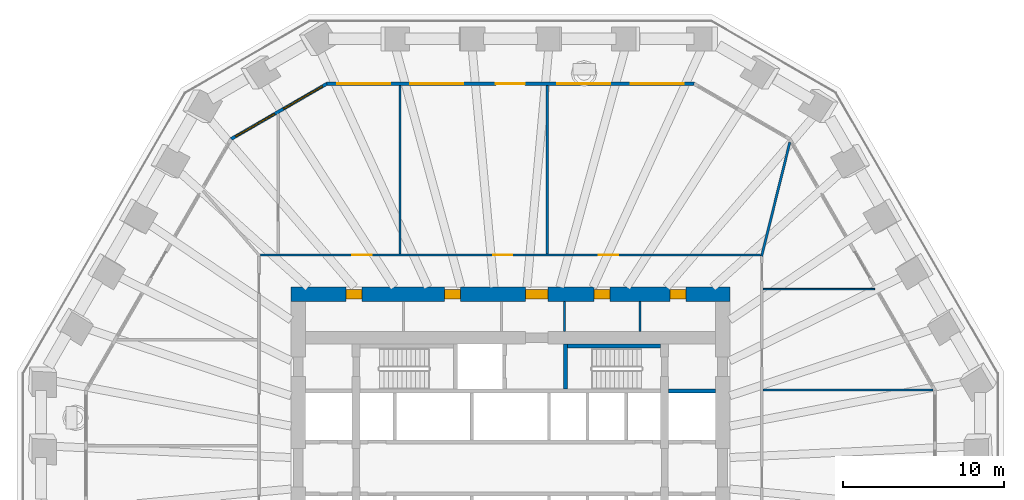
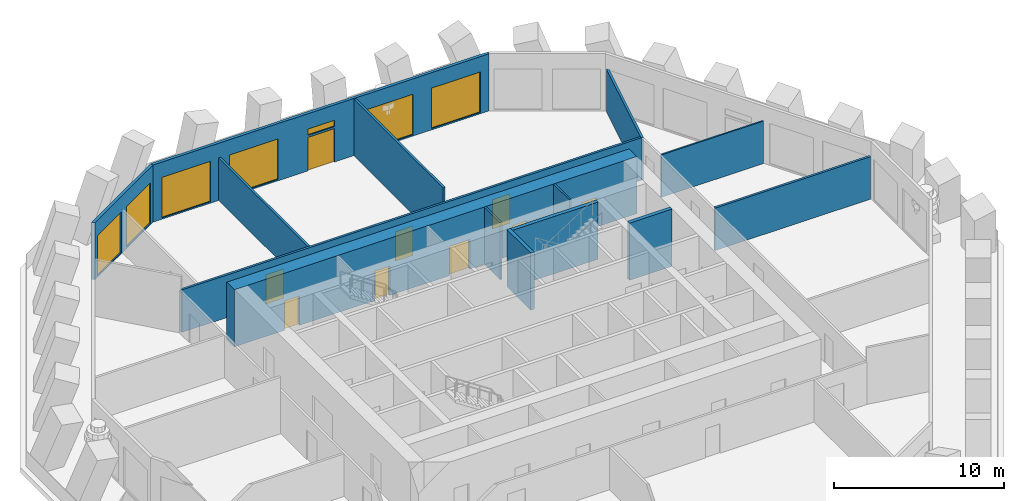
# One storey, part 7 of 11: 14 walls, 9 doors, 7 windows, 16 openings.
"""IFC4 building model written with IfcOpenShell, lengths in metres."""

from ifc_helpers import new_model, si_unit, direction, frame, frame_2d, origin, place, context, subcontext, project, spatial, polyline, rectangle, outline, extrude, material, layer, layer_set, type_object, element, fill, save


model = new_model("IFC4")

# Units and contexts
model_context = context("Model", 3, precision=1e-05, world=origin(), true_north=direction((0.0, 1.0)))
body_context = subcontext(model_context, "Body", "Model", "MODEL_VIEW")
ifc_project = project(units=[si_unit("LENGTHUNIT", "METRE"), si_unit("AREAUNIT", "SQUARE_METRE"), si_unit("VOLUMEUNIT", "CUBIC_METRE"), si_unit("PLANEANGLEUNIT", "RADIAN"), si_unit("MASSUNIT", "GRAM", prefix="KILO")], contexts=[model_context])

# Site, building, storey
site_placement = place(None, origin())
site = spatial("IfcSite", under=ifc_project, at=site_placement, CompositionType="ELEMENT")
building_placement = place(site_placement, origin())
building = spatial("IfcBuilding", under=site, at=building_placement, Name="Frailejon Research Tower", CompositionType="ELEMENT")
storey_placement = place(building_placement, frame((0.0, 0.0, 67.39990234375)))
storey = spatial("IfcBuildingStorey", under=building, at=storey_placement, Name="L15", CompositionType="ELEMENT", Elevation=67.39990234375)

# Walls
ifc_material_1 = material(Name="Plasterboard on steel studs", Category="steel")
ifc_layer_1 = layer(ifc_material_1, 0.125)
ifc_layer_set_1 = layer_set([ifc_layer_1], Name="Core partition 125")
wall_type_1 = type_object("IfcWallType", Name="Core partition 125", PredefinedType="PARTITIONING", material=ifc_layer_set_1)
for number, where, z_axis, x_axis, name in (
    (1, (3.362548828125, 8.5, 0.0), (0.0, 0.0, 1.0), (0.0, 1.0, 0.0), "Core partition"),
    (2, (8.05615234375, 8.5, 0.0), (0.0, 0.0, 1.0), (0.0, 1.0, 0.0), "Core partition"),
):
    element("IfcWall", number, at=place(storey_placement, frame(where, z_axis=z_axis, x_axis=x_axis)), inside=storey, type_object=wall_type_1, Name=name, PredefinedType="PARTITIONING", context=body_context, shape_type="SweptSolid", body=[
        extrude(rectangle(XDim=1.85009765625, YDim=0.125, at=frame_2d((0.925048828125, 0.0))), origin(), (0.0, 0.0, 1.0), 4.10009765625),
    ])

# Wall, openings, doors
ifc_material_2 = material(Name="Concrete C70/85", Category="concrete")
ifc_layer_2 = layer(ifc_material_2, 0.89990234375)
ifc_layer_set_2 = layer_set([ifc_layer_2], Name="Core shear wall 900 C70/85")
wall_type_2 = type_object("IfcWallType", Name="Core shear wall 900 C70/85", PredefinedType="SHEAR", material=ifc_layer_set_2)
wall_1_placement = place(storey_placement, frame((-13.64990234375, 10.800048828125, 0.0), z_axis=(0.0, 0.0, 1.0), x_axis=(1.0, 0.0, 0.0)))
wall_1 = element("IfcWall", 3, at=wall_1_placement, inside=storey, type_object=wall_type_2, Name="Core shear wall", PredefinedType="SHEAR", context=body_context, shape_type="SweptSolid", body=[
    extrude(rectangle(XDim=27.2998046875, YDim=0.89990234375, at=frame_2d((13.64990234375, 0.0))), origin(), (0.0, 0.0, 1.0), 4.10009765625),
])
opening_1_placement = place(wall_1_placement, frame((3.41552734375, 0.0, 0.0)))
opening_1 = element("IfcOpeningElement", 4, at=opening_1_placement, cuts=wall_1, Name="Opening D4", PredefinedType="OPENING", context=body_context, shape_type="SweptSolid", body=[
    extrude(rectangle(XDim=1.0, YDim=2.10009765625, at=frame_2d((0.5, 1.050048828125))), frame((0.0, 0.4599609375, 0.0), z_axis=(0.0, -1.0, 0.0), x_axis=(1.0, 0.0, 0.0)), (0.0, 0.0, 1.0), 0.919921875),
])
opening_2_placement = place(wall_1_placement, frame((9.54052734375, 0.0, 0.0)))
opening_2 = element("IfcOpeningElement", 5, at=opening_2_placement, cuts=wall_1, Name="Opening D4", PredefinedType="OPENING", context=body_context, shape_type="SweptSolid", body=[
    extrude(rectangle(XDim=1.0, YDim=2.10009765625, at=frame_2d((0.5, 1.050048828125))), frame((0.0, 0.4599609375, 0.0), z_axis=(0.0, -1.0, 0.0), x_axis=(1.0, 0.0, 0.0)), (0.0, 0.0, 1.0), 0.919921875),
])
opening_3_placement = place(wall_1_placement, frame((18.859375, 0.0, 0.0)))
opening_3 = element("IfcOpeningElement", 6, at=opening_3_placement, cuts=wall_1, Name="Opening D4", PredefinedType="OPENING", context=body_context, shape_type="SweptSolid", body=[
    extrude(rectangle(XDim=1.0, YDim=2.10009765625, at=frame_2d((0.5, 1.050048828125))), frame((0.0, 0.4599609375, 0.0), z_axis=(0.0, -1.0, 0.0), x_axis=(1.0, 0.0, 0.0)), (0.0, 0.0, 1.0), 0.919921875),
])
opening_4_placement = place(wall_1_placement, frame((23.58447265625, 0.0, 0.0)))
opening_4 = element("IfcOpeningElement", 7, at=opening_4_placement, cuts=wall_1, Name="Opening D4", PredefinedType="OPENING", context=body_context, shape_type="SweptSolid", body=[
    extrude(rectangle(XDim=1.0, YDim=2.10009765625, at=frame_2d((0.5, 1.050048828125))), frame((0.0, 0.4599609375, 0.0), z_axis=(0.0, -1.0, 0.0), x_axis=(1.0, 0.0, 0.0)), (0.0, 0.0, 1.0), 0.919921875),
])
opening_5_placement = place(wall_1_placement, frame((14.574951171875, 0.0, 0.0)))
opening_5 = element("IfcOpeningElement", 8, at=opening_5_placement, cuts=wall_1, Name="Opening D9", PredefinedType="OPENING", context=body_context, shape_type="SweptSolid", body=[
    extrude(rectangle(XDim=1.39990234375, YDim=2.10009765625, at=frame_2d((0.699951171875, 1.050048828125))), frame((0.0, 0.4599609375, 0.0), z_axis=(0.0, -1.0, 0.0), x_axis=(1.0, 0.0, 0.0)), (0.0, 0.0, 1.0), 0.919921875),
])
ifc_material_3 = material(Name="Steel", Category="steel")
door_type_1 = type_object("IfcDoorType", Name="Goods lobby door", OperationType="DOUBLE_DOOR_SINGLE_SWING", PredefinedType="DOOR", material=ifc_material_3)
door_1_placement = place(opening_5_placement, origin())
door_1 = element("IfcDoor", 9, at=door_1_placement, inside=storey, type_object=door_type_1, Name="Passage door", OperationType="DOUBLE_DOOR_SINGLE_SWING", OverallHeight=2.10009765625, OverallWidth=1.39990234375, PredefinedType="DOOR", context=body_context, shape_type="SweptSolid", body=[
    extrude(rectangle(XDim=1.39990234375, YDim=2.10009765625, at=frame_2d((0.699951171875, 1.050048828125))), frame((0.0, 0.300048828125, 0.0), z_axis=(0.0, -1.0, 0.0), x_axis=(1.0, 0.0, 0.0)), (0.0, 0.0, 1.0), 0.60009765625),
])
fill(opening_5, door_1)
ifc_material_4 = material(Name="Steel", Category="steel")
door_type_2 = type_object("IfcDoorType", Name="Service door", OperationType="SINGLE_SWING_LEFT", PredefinedType="DOOR", material=ifc_material_4)
door_2_placement = place(opening_1_placement, origin())
door_2 = element("IfcDoor", 10, at=door_2_placement, inside=storey, type_object=door_type_2, Name="Room door", OperationType="SINGLE_SWING_LEFT", OverallHeight=2.10009765625, OverallWidth=1.0, PredefinedType="DOOR", context=body_context, shape_type="SweptSolid", body=[
    extrude(rectangle(XDim=1.0, YDim=2.10009765625, at=frame_2d((0.5, 1.050048828125))), frame((0.0, 0.300048828125, 0.0), z_axis=(0.0, -1.0, 0.0), x_axis=(1.0, 0.0, 0.0)), (0.0, 0.0, 1.0), 0.60009765625),
])
fill(opening_1, door_2)
door_3_placement = place(opening_2_placement, origin())
door_3 = element("IfcDoor", 11, at=door_3_placement, inside=storey, type_object=door_type_2, Name="Room door", OperationType="SINGLE_SWING_RIGHT", OverallHeight=2.10009765625, OverallWidth=1.0, PredefinedType="DOOR", context=body_context, shape_type="SweptSolid", body=[
    extrude(rectangle(XDim=1.0, YDim=2.10009765625, at=frame_2d((0.5, 1.050048828125))), frame((0.0, 0.300048828125, 0.0), z_axis=(0.0, -1.0, 0.0), x_axis=(1.0, 0.0, 0.0)), (0.0, 0.0, 1.0), 0.60009765625),
])
fill(opening_2, door_3)
door_4_placement = place(opening_3_placement, origin())
door_4 = element("IfcDoor", 12, at=door_4_placement, inside=storey, type_object=door_type_2, Name="Room door", OperationType="SINGLE_SWING_LEFT", OverallHeight=2.10009765625, OverallWidth=1.0, PredefinedType="DOOR", context=body_context, shape_type="SweptSolid", body=[
    extrude(rectangle(XDim=1.0, YDim=2.10009765625, at=frame_2d((0.5, 1.050048828125))), frame((0.0, 0.300048828125, 0.0), z_axis=(0.0, -1.0, 0.0), x_axis=(1.0, 0.0, 0.0)), (0.0, 0.0, 1.0), 0.60009765625),
])
fill(opening_3, door_4)
door_5_placement = place(opening_4_placement, origin())
door_5 = element("IfcDoor", 13, at=door_5_placement, inside=storey, type_object=door_type_2, Name="Room door", OperationType="SINGLE_SWING_RIGHT", OverallHeight=2.10009765625, OverallWidth=1.0, PredefinedType="DOOR", context=body_context, shape_type="SweptSolid", body=[
    extrude(rectangle(XDim=1.0, YDim=2.10009765625, at=frame_2d((0.5, 1.050048828125))), frame((0.0, 0.300048828125, 0.0), z_axis=(0.0, -1.0, 0.0), x_axis=(1.0, 0.0, 0.0)), (0.0, 0.0, 1.0), 0.60009765625),
])
fill(opening_4, door_5)

ifc_material_5 = material(Name="Gypsum board and masonry partition", Category="masonry")
ifc_layer_3 = layer(ifc_material_5, 0.14990234375)
ifc_layer_set_3 = layer_set([ifc_layer_3], Name="Corridor wall EI 60, gypsum on steel studs 150")
wall_type_3 = type_object("IfcWallType", Name="Corridor wall EI 60, gypsum on steel studs 150", PredefinedType="PARTITIONING", material=ifc_layer_set_3)
wall_2_placement = place(storey_placement, frame((-15.574951171875, 13.25, 0.0), z_axis=(0.0, 0.0, 1.0), x_axis=(1.0, 0.0, 0.0)))
wall_2 = element("IfcWall", 14, at=wall_2_placement, inside=storey, type_object=wall_type_3, Name="T:IW:L15:002", PredefinedType="PARTITIONING", context=body_context, shape_type="SweptSolid", body=[
    extrude(rectangle(XDim=31.14990234375, YDim=0.14990234375, at=frame_2d((15.574951171875, 0.0))), origin(), (0.0, 0.0, 1.0), 3.050048828125),
])
opening_6_placement = place(wall_2_placement, frame((21.08056640625, 0.0, 0.0)))
opening_6 = element("IfcOpeningElement", 15, at=opening_6_placement, cuts=wall_2, Name="Opening D1469", PredefinedType="OPENING", context=body_context, shape_type="SweptSolid", body=[
    extrude(rectangle(XDim=1.199951171875, YDim=2.10009765625, at=frame_2d((0.60009765625, 1.050048828125))), frame((0.0, 0.0849609375, 0.0), z_axis=(0.0, -1.0, 0.0), x_axis=(1.0, 0.0, 0.0)), (0.0, 0.0, 1.0), 0.169921875),
])
opening_7_placement = place(wall_2_placement, frame((14.5, 0.0, 0.0)))
opening_7 = element("IfcOpeningElement", 16, at=opening_7_placement, cuts=wall_2, Name="Opening D1470", PredefinedType="OPENING", context=body_context, shape_type="SweptSolid", body=[
    extrude(rectangle(XDim=1.199951171875, YDim=2.10009765625, at=frame_2d((0.60009765625, 1.050048828125))), frame((0.0, 0.0849609375, 0.0), z_axis=(0.0, -1.0, 0.0), x_axis=(1.0, 0.0, 0.0)), (0.0, 0.0, 1.0), 0.169921875),
])
opening_8_placement = place(wall_2_placement, frame((5.73291015625, 0.0, 0.0)))
opening_8 = element("IfcOpeningElement", 17, at=opening_8_placement, cuts=wall_2, Name="Opening D1471", PredefinedType="OPENING", context=body_context, shape_type="SweptSolid", body=[
    extrude(rectangle(XDim=1.199951171875, YDim=2.10009765625, at=frame_2d((0.60009765625, 1.050048828125))), frame((0.0, 0.0849609375, 0.0), z_axis=(0.0, -1.0, 0.0), x_axis=(1.0, 0.0, 0.0)), (0.0, 0.0, 1.0), 0.169921875),
])
ifc_material_6 = material(Name="Timber door leaf", Category="wood")
door_type_3 = type_object("IfcDoorType", Name="Door laboratory, timber, vision panel 1200", OperationType="NOTDEFINED", PredefinedType="DOOR", material=ifc_material_6)
door_6_placement = place(opening_6_placement, origin())
door_6 = element("IfcDoor", 18, at=door_6_placement, inside=storey, type_object=door_type_3, Name="D1469", OperationType="DOUBLE_DOOR_SINGLE_SWING", OverallHeight=2.10009765625, OverallWidth=1.199951171875, PredefinedType="DOOR", context=body_context, shape_type="SweptSolid", body=[
    extrude(rectangle(XDim=1.199951171875, YDim=2.10009765625, at=frame_2d((0.60009765625, 1.050048828125))), frame((0.0, 0.02490234375, 0.0), z_axis=(0.0, -1.0, 0.0), x_axis=(1.0, 0.0, 0.0)), (0.0, 0.0, 1.0), 0.050048828125),
])
fill(opening_6, door_6)
door_7_placement = place(opening_7_placement, origin())
door_7 = element("IfcDoor", 19, at=door_7_placement, inside=storey, type_object=door_type_3, Name="D1470", OperationType="DOUBLE_DOOR_SINGLE_SWING", OverallHeight=2.10009765625, OverallWidth=1.199951171875, PredefinedType="DOOR", context=body_context, shape_type="SweptSolid", body=[
    extrude(rectangle(XDim=1.199951171875, YDim=2.10009765625, at=frame_2d((0.60009765625, 1.050048828125))), frame((0.0, 0.02490234375, 0.0), z_axis=(0.0, -1.0, 0.0), x_axis=(1.0, 0.0, 0.0)), (0.0, 0.0, 1.0), 0.050048828125),
])
fill(opening_7, door_7)
door_8_placement = place(opening_8_placement, origin())
door_8 = element("IfcDoor", 20, at=door_8_placement, inside=storey, type_object=door_type_3, Name="D1471", OperationType="DOUBLE_DOOR_SINGLE_SWING", OverallHeight=2.10009765625, OverallWidth=1.199951171875, PredefinedType="DOOR", context=body_context, shape_type="SweptSolid", body=[
    extrude(rectangle(XDim=1.199951171875, YDim=2.10009765625, at=frame_2d((0.60009765625, 1.050048828125))), frame((0.0, 0.02490234375, 0.0), z_axis=(0.0, -1.0, 0.0), x_axis=(1.0, 0.0, 0.0)), (0.0, 0.0, 1.0), 0.050048828125),
])
fill(opening_8, door_8)

# Walls
ifc_material_7 = material(Name="Gypsum board and masonry partition", Category="masonry")
ifc_layer_4 = layer(ifc_material_7, 0.14990234375)
ifc_layer_set_4 = layer_set([ifc_layer_4], Name="Laboratory partition, blockwork 150")
wall_type_4 = type_object("IfcWallType", Name="Laboratory partition, blockwork 150", PredefinedType="PARTITIONING", material=ifc_layer_set_4)
wall_3_placement = place(storey_placement, frame((15.72509765625, 4.846923828125, 0.0), z_axis=(0.0, 0.0, 1.0), x_axis=(1.0, 0.0, 0.0)))
element("IfcWall", 21, at=wall_3_placement, inside=storey, type_object=wall_type_4, Name="T:IW:L15:005", PredefinedType="PARTITIONING", context=body_context, shape_type="SweptSolid", body=[
    extrude(rectangle(XDim=10.55517578125, YDim=0.14990234375, at=frame_2d((5.277587890625, 0.0))), origin(), (0.0, 0.0, 1.0), 3.050048828125),
])
wall_4_placement = place(storey_placement, frame((15.632080078125, 13.17724609375, 0.0), z_axis=(0.0, 0.0, 1.0), x_axis=(0.240218906568, 0.970718742442, 0.0)))
element("IfcWall", 22, at=wall_4_placement, inside=storey, type_object=wall_type_4, Name="T:IW:L15:006", PredefinedType="PARTITIONING", context=body_context, shape_type="SweptSolid", body=[
    extrude(rectangle(XDim=7.292236328125, YDim=0.14990234375, at=frame_2d((3.64599609375, 0.0))), origin(), (0.0, 0.0, 1.0), 3.050048828125),
])
wall_5_placement = place(storey_placement, frame((2.29052734375, 13.324951171875, 0.0), z_axis=(0.0, 0.0, 1.0), x_axis=(0.0, 1.0, 0.0)))
element("IfcWall", 23, at=wall_5_placement, inside=storey, type_object=wall_type_4, Name="T:IW:L15:007", PredefinedType="PARTITIONING", context=body_context, shape_type="SweptSolid", body=[
    extrude(rectangle(XDim=10.47509765625, YDim=0.14990234375, at=frame_2d((5.237548828125, 0.0))), origin(), (0.0, 0.0, 1.0), 4.050048828125),
])
wall_6_placement = place(storey_placement, frame((-6.871826171875, 13.324951171875, 0.0), z_axis=(0.0, 0.0, 1.0), x_axis=(0.0, 1.0, 0.0)))
element("IfcWall", 24, at=wall_6_placement, inside=storey, type_object=wall_type_4, Name="T:IW:L15:008", PredefinedType="PARTITIONING", context=body_context, shape_type="SweptSolid", body=[
    extrude(rectangle(XDim=10.47509765625, YDim=0.14990234375, at=frame_2d((5.237548828125, 0.0))), origin(), (0.0, 0.0, 1.0), 3.050048828125),
])
ifc_material_8 = material(Name="Gypsum board and masonry partition", Category="masonry")
ifc_layer_5 = layer(ifc_material_8, 0.10009765625)
ifc_layer_set_5 = layer_set([ifc_layer_5], Name="Partition, gypsum on steel studs 100")
wall_type_5 = type_object("IfcWallType", Name="Partition, gypsum on steel studs 100", PredefinedType="PARTITIONING", material=ifc_layer_set_5)
wall_7_placement = place(storey_placement, frame((15.72509765625, 11.12255859375, 0.0), z_axis=(0.0, 0.0, 1.0), x_axis=(1.0, 0.0, 0.0)))
element("IfcWall", 25, at=wall_7_placement, inside=storey, type_object=wall_type_5, Name="T:IW:L15:019", PredefinedType="PARTITIONING", context=body_context, shape_type="SweptSolid", body=[
    extrude(rectangle(XDim=6.931884765625, YDim=0.10009765625, at=frame_2d((3.4658203125, 0.0))), origin(), (0.0, 0.0, 1.0), 3.050048828125),
])
ifc_material_9 = material(Name="Concrete C70/85", Category="concrete")
ifc_layer_6 = layer(ifc_material_9, 0.25)
ifc_layer_set_6 = layer_set([ifc_layer_6], Name="Shaft wall 250 C70/85")
wall_type_6 = type_object("IfcWallType", Name="Shaft wall 250 C70/85", PredefinedType="SOLIDWALL", material=ifc_layer_set_6)
wall_8_placement = place(storey_placement, frame((9.85009765625, 4.77490234375, 0.0), z_axis=(0.0, 0.0, 1.0), x_axis=(1.0, 0.0, 0.0)))
element("IfcWall", 26, at=wall_8_placement, inside=storey, type_object=wall_type_6, Name="Shaft wall", PredefinedType="SOLIDWALL", context=body_context, shape_type="SweptSolid", body=[
    extrude(rectangle(XDim=2.89990234375, YDim=0.25, at=frame_2d((1.449951171875, 0.0))), origin(), (0.0, 0.0, 1.0), 4.10009765625),
])
wall_9_placement = place(storey_placement, frame((3.550048828125, 7.574951171875, 0.0), z_axis=(0.0, 0.0, 1.0), x_axis=(1.0, 0.0, 0.0)))
element("IfcWall", 27, at=wall_9_placement, inside=storey, type_object=wall_type_6, Name="Shaft wall", PredefinedType="SOLIDWALL", context=body_context, shape_type="SweptSolid", body=[
    extrude(rectangle(XDim=5.800048828125, YDim=0.25, at=frame_2d((2.89990234375, 0.0))), origin(), (0.0, 0.0, 1.0), 4.10009765625),
])
wall_10_placement = place(storey_placement, frame((3.425048828125, 4.89990234375, 0.0), z_axis=(0.0, 0.0, 1.0), x_axis=(0.0, 1.0, 0.0)))
element("IfcWall", 28, at=wall_10_placement, inside=storey, type_object=wall_type_6, Name="Shaft wall", PredefinedType="SOLIDWALL", context=body_context, shape_type="SweptSolid", body=[
    extrude(rectangle(XDim=2.800048828125, YDim=0.25, at=frame_2d((1.39990234375, 0.0))), origin(), (0.0, 0.0, 1.0), 4.10009765625),
])

# Wall, openings, door, windows
ifc_material_10 = material(Name="Concrete C40/50 precast window wall panel", Category="concrete")
ifc_layer_7 = layer(ifc_material_10, 0.199951171875)
ifc_layer_set_7 = layer_set([ifc_layer_7], Name="Window wall 200")
wall_type_7 = type_object("IfcWallType", Name="Window wall 200", PredefinedType="SOLIDWALL", material=ifc_layer_set_7)
wall_11_placement = place(storey_placement, frame((11.42626953125, 23.89990234375, 0.0), z_axis=(0.0, 0.0, 1.0), x_axis=(-1.0, 0.0, 0.0)))
wall_11 = element("IfcWall", 29, at=wall_11_placement, inside=storey, type_object=wall_type_7, Name="Exterior wall L15", PredefinedType="SOLIDWALL", context=body_context, shape_type="SweptSolid", body=[
    extrude(outline(polyline([(-0.02685546875, -0.10009765625), (1.014404296875, -0.10009765625), (2.055419921875, -0.10009765625), (3.0966796875, -0.10009765625), (4.137939453125, -0.10009765625), (5.17919921875, -0.10009765625), (6.22021484375, -0.10009765625), (7.261474609375, -0.10009765625), (8.302734375, -0.10009765625), (9.343994140625, -0.10009765625), (10.385009765625, -0.10009765625), (11.42626953125, -0.10009765625), (12.467529296875, -0.10009765625), (13.508544921875, -0.10009765625), (14.5498046875, -0.10009765625), (15.591064453125, -0.10009765625), (16.63232421875, -0.10009765625), (17.67333984375, -0.10009765625), (18.714599609375, -0.10009765625), (19.755859375, -0.10009765625), (20.797119140625, -0.10009765625), (21.838134765625, -0.10009765625), (22.87939453125, -0.10009765625), (22.82568359375, 0.10009765625), (21.789306640625, 0.10009765625), (20.753173828125, 0.10009765625), (19.716796875, 0.10009765625), (18.680419921875, 0.10009765625), (17.64404296875, 0.10009765625), (16.60791015625, 0.10009765625), (15.571533203125, 0.10009765625), (14.53515625, 0.10009765625), (13.498779296875, 0.10009765625), (12.462646484375, 0.10009765625), (11.42626953125, 0.10009765625), (10.389892578125, 0.10009765625), (9.353759765625, 0.10009765625), (8.3173828125, 0.10009765625), (7.281005859375, 0.10009765625), (6.24462890625, 0.10009765625), (5.20849609375, 0.10009765625), (4.172119140625, 0.10009765625), (3.1357421875, 0.10009765625), (2.099365234375, 0.10009765625), (1.063232421875, 0.10009765625), (0.02685546875, 0.10009765625), (-0.02685546875, -0.10009765625)])), origin(), (0.0, 0.0, 1.0), 4.10009765625),
])
opening_9_placement = place(wall_11_placement, frame((0.63525390625, 0.0, 0.10009765625)))
opening_9 = element("IfcOpeningElement", 30, at=opening_9_placement, cuts=wall_11, Name="Opening W5", PredefinedType="OPENING", context=body_context, shape_type="SweptSolid", body=[
    extrude(rectangle(XDim=3.300048828125, YDim=2.89990234375, at=frame_2d((1.64990234375, 1.449951171875))), frame((0.0, 0.10986328125, 0.0), z_axis=(0.0, -1.0, 0.0), x_axis=(1.0, 0.0, 0.0)), (0.0, 0.0, 1.0), 0.219970703125),
])
opening_10_placement = place(wall_11_placement, frame((5.205810546875, 0.0, 0.10009765625)))
opening_10 = element("IfcOpeningElement", 31, at=opening_10_placement, cuts=wall_11, Name="Opening W5", PredefinedType="OPENING", context=body_context, shape_type="SweptSolid", body=[
    extrude(rectangle(XDim=3.300048828125, YDim=2.89990234375, at=frame_2d((1.64990234375, 1.449951171875))), frame((0.0, 0.10986328125, 0.0), z_axis=(0.0, -1.0, 0.0), x_axis=(1.0, 0.0, 0.0)), (0.0, 0.0, 1.0), 0.219970703125),
])
opening_11_placement = place(wall_11_placement, frame((10.5263671875, 0.0, 0.0)))
opening_11 = element("IfcOpeningElement", 32, at=opening_11_placement, cuts=wall_11, Name="Opening LG15-2", PredefinedType="OPENING", context=body_context, shape_type="SweptSolid", body=[
    extrude(rectangle(XDim=1.800048828125, YDim=2.39990234375, at=frame_2d((0.89990234375, 1.199951171875))), frame((0.0, 0.10986328125, 0.0), z_axis=(0.0, -1.0, 0.0), x_axis=(1.0, 0.0, 0.0)), (0.0, 0.0, 1.0), 0.219970703125),
])
opening_12_placement = place(wall_11_placement, frame((10.5263671875, 0.0, 2.550048828125)))
opening_12 = element("IfcOpeningElement", 33, at=opening_12_placement, cuts=wall_11, Name="Opening W1", PredefinedType="OPENING", context=body_context, shape_type="SweptSolid", body=[
    extrude(rectangle(XDim=1.800048828125, YDim=0.449951171875, at=frame_2d((0.89990234375, 0.22509765625))), frame((0.0, 0.10986328125, 0.0), z_axis=(0.0, -1.0, 0.0), x_axis=(1.0, 0.0, 0.0)), (0.0, 0.0, 1.0), 0.219970703125),
])
opening_13_placement = place(wall_11_placement, frame((14.3466796875, 0.0, 0.10009765625)))
opening_13 = element("IfcOpeningElement", 34, at=opening_13_placement, cuts=wall_11, Name="Opening W5", PredefinedType="OPENING", context=body_context, shape_type="SweptSolid", body=[
    extrude(rectangle(XDim=3.300048828125, YDim=2.89990234375, at=frame_2d((1.64990234375, 1.449951171875))), frame((0.0, 0.10986328125, 0.0), z_axis=(0.0, -1.0, 0.0), x_axis=(1.0, 0.0, 0.0)), (0.0, 0.0, 1.0), 0.219970703125),
])
opening_14_placement = place(wall_11_placement, frame((18.917236328125, 0.0, 0.10009765625)))
opening_14 = element("IfcOpeningElement", 35, at=opening_14_placement, cuts=wall_11, Name="Opening W5", PredefinedType="OPENING", context=body_context, shape_type="SweptSolid", body=[
    extrude(rectangle(XDim=3.300048828125, YDim=2.89990234375, at=frame_2d((1.64990234375, 1.449951171875))), frame((0.0, 0.10986328125, 0.0), z_axis=(0.0, -1.0, 0.0), x_axis=(1.0, 0.0, 0.0)), (0.0, 0.0, 1.0), 0.219970703125),
])
ifc_material_11 = material(Name="Aluminium framed glazed door leaf", Category="aluminium")
door_type_4 = type_object("IfcDoorType", Name="Loggia door 1800x2400", OperationType="DOUBLE_DOOR_SINGLE_SWING", PredefinedType="DOOR", material=ifc_material_11)
door_9_placement = place(opening_11_placement, origin())
door_9 = element("IfcDoor", 36, at=door_9_placement, inside=storey, type_object=door_type_4, Name="Door LG15-2", OperationType="DOUBLE_DOOR_SINGLE_SWING", OverallHeight=2.39990234375, OverallWidth=1.800048828125, PredefinedType="DOOR", context=body_context, shape_type="SweptSolid", body=[
    extrude(rectangle(XDim=1.800048828125, YDim=2.39990234375, at=frame_2d((0.89990234375, 1.199951171875))), frame((0.0, 0.02490234375, 0.0), z_axis=(0.0, -1.0, 0.0), x_axis=(1.0, 0.0, 0.0)), (0.0, 0.0, 1.0), 0.050048828125),
])
fill(opening_11, door_9)
ifc_material_12 = material(Name="Aluminium framed double glazing", Category="aluminium")
window_type_1 = type_object("IfcWindowType", Name="Window 1800x450", PartitioningType="SINGLE_PANEL", PredefinedType="WINDOW", material=ifc_material_12)
window_1_placement = place(opening_12_placement, origin())
window_1 = element("IfcWindow", 37, at=window_1_placement, inside=storey, type_object=window_type_1, Name="Window L15", OverallHeight=0.449951171875, OverallWidth=1.800048828125, PartitioningType="SINGLE_PANEL", PredefinedType="WINDOW", context=body_context, shape_type="SweptSolid", body=[
    extrude(rectangle(XDim=1.800048828125, YDim=0.449951171875, at=frame_2d((0.89990234375, 0.22509765625))), frame((0.0, 0.030029296875, 0.0), z_axis=(0.0, -1.0, 0.0), x_axis=(1.0, 0.0, 0.0)), (0.0, 0.0, 1.0), 0.06005859375),
])
fill(opening_12, window_1)
ifc_material_13 = material(Name="Aluminium framed double glazing", Category="aluminium")
window_type_2 = type_object("IfcWindowType", Name="Window 3300x2900", PartitioningType="SINGLE_PANEL", PredefinedType="WINDOW", material=ifc_material_13)
window_2_placement = place(opening_9_placement, origin())
window_2 = element("IfcWindow", 38, at=window_2_placement, inside=storey, type_object=window_type_2, Name="Window L15", OverallHeight=2.89990234375, OverallWidth=3.300048828125, PartitioningType="SINGLE_PANEL", PredefinedType="WINDOW", context=body_context, shape_type="SweptSolid", body=[
    extrude(rectangle(XDim=3.300048828125, YDim=2.89990234375, at=frame_2d((1.64990234375, 1.449951171875))), frame((0.0, 0.030029296875, 0.0), z_axis=(0.0, -1.0, 0.0), x_axis=(1.0, 0.0, 0.0)), (0.0, 0.0, 1.0), 0.06005859375),
])
fill(opening_9, window_2)
window_3_placement = place(opening_10_placement, origin())
window_3 = element("IfcWindow", 39, at=window_3_placement, inside=storey, type_object=window_type_2, Name="Window L15", OverallHeight=2.89990234375, OverallWidth=3.300048828125, PartitioningType="SINGLE_PANEL", PredefinedType="WINDOW", context=body_context, shape_type="SweptSolid", body=[
    extrude(rectangle(XDim=3.300048828125, YDim=2.89990234375, at=frame_2d((1.64990234375, 1.449951171875))), frame((0.0, 0.030029296875, 0.0), z_axis=(0.0, -1.0, 0.0), x_axis=(1.0, 0.0, 0.0)), (0.0, 0.0, 1.0), 0.06005859375),
])
fill(opening_10, window_3)
window_4_placement = place(opening_13_placement, origin())
window_4 = element("IfcWindow", 40, at=window_4_placement, inside=storey, type_object=window_type_2, Name="Window L15", OverallHeight=2.89990234375, OverallWidth=3.300048828125, PartitioningType="SINGLE_PANEL", PredefinedType="WINDOW", context=body_context, shape_type="SweptSolid", body=[
    extrude(rectangle(XDim=3.300048828125, YDim=2.89990234375, at=frame_2d((1.64990234375, 1.449951171875))), frame((0.0, 0.030029296875, 0.0), z_axis=(0.0, -1.0, 0.0), x_axis=(1.0, 0.0, 0.0)), (0.0, 0.0, 1.0), 0.06005859375),
])
fill(opening_13, window_4)
window_5_placement = place(opening_14_placement, origin())
window_5 = element("IfcWindow", 41, at=window_5_placement, inside=storey, type_object=window_type_2, Name="Window L15", OverallHeight=2.89990234375, OverallWidth=3.300048828125, PartitioningType="SINGLE_PANEL", PredefinedType="WINDOW", context=body_context, shape_type="SweptSolid", body=[
    extrude(rectangle(XDim=3.300048828125, YDim=2.89990234375, at=frame_2d((1.64990234375, 1.449951171875))), frame((0.0, 0.030029296875, 0.0), z_axis=(0.0, -1.0, 0.0), x_axis=(1.0, 0.0, 0.0)), (0.0, 0.0, 1.0), 0.06005859375),
])
fill(opening_14, window_5)

# Wall, openings, windows
wall_12_placement = place(storey_placement, frame((-11.42626953125, 23.89990234375, 0.0), z_axis=(0.0, 0.0, 1.0), x_axis=(-0.866029458321, -0.49999297727, 0.0)))
wall_12 = element("IfcWall", 42, at=wall_12_placement, inside=storey, type_object=wall_type_7, Name="Exterior wall L15", PredefinedType="SOLIDWALL", context=body_context, shape_type="SweptSolid", body=[
    extrude(outline(polyline([(-0.02685546875, -0.10009765625), (1.1279296875, -0.10009765625), (2.282470703125, -0.10009765625), (3.437255859375, -0.10009765625), (4.592041015625, -0.10009765625), (5.74658203125, -0.10009765625), (6.9013671875, -0.10009765625), (6.84765625, 0.10009765625), (5.7109375, 0.10009765625), (4.573974609375, 0.10009765625), (3.437255859375, 0.10009765625), (2.300537109375, 0.10009765625), (1.16357421875, 0.10009765625), (0.02685546875, 0.10009765625), (-0.02685546875, -0.10009765625)])), origin(), (0.0, 0.0, 1.0), 4.10009765625),
])
opening_15_placement = place(wall_12_placement, frame((0.318603515625, 0.0, 0.10009765625)))
opening_15 = element("IfcOpeningElement", 43, at=opening_15_placement, cuts=wall_12, Name="Opening W3", PredefinedType="OPENING", context=body_context, shape_type="SweptSolid", body=[
    extrude(rectangle(XDim=2.800048828125, YDim=2.89990234375, at=frame_2d((1.39990234375, 1.449951171875))), frame((0.0, 0.10986328125, 0.0), z_axis=(0.0, -1.0, 0.0), x_axis=(1.0, 0.0, 0.0)), (0.0, 0.0, 1.0), 0.219970703125),
])
opening_16_placement = place(wall_12_placement, frame((3.756103515625, 0.0, 0.10009765625)))
opening_16 = element("IfcOpeningElement", 44, at=opening_16_placement, cuts=wall_12, Name="Opening W3", PredefinedType="OPENING", context=body_context, shape_type="SweptSolid", body=[
    extrude(rectangle(XDim=2.800048828125, YDim=2.89990234375, at=frame_2d((1.39990234375, 1.449951171875))), frame((0.0, 0.10986328125, 0.0), z_axis=(0.0, -1.0, 0.0), x_axis=(1.0, 0.0, 0.0)), (0.0, 0.0, 1.0), 0.219970703125),
])
ifc_material_14 = material(Name="Aluminium framed double glazing", Category="aluminium")
window_type_3 = type_object("IfcWindowType", Name="Window 2800x2900", PartitioningType="SINGLE_PANEL", PredefinedType="WINDOW", material=ifc_material_14)
window_6_placement = place(opening_15_placement, origin())
window_6 = element("IfcWindow", 45, at=window_6_placement, inside=storey, type_object=window_type_3, Name="Window L15", OverallHeight=2.89990234375, OverallWidth=2.800048828125, PartitioningType="SINGLE_PANEL", PredefinedType="WINDOW", context=body_context, shape_type="SweptSolid", body=[
    extrude(rectangle(XDim=2.800048828125, YDim=2.89990234375, at=frame_2d((1.39990234375, 1.449951171875))), frame((0.0, 0.030029296875, 0.0), z_axis=(0.0, -1.0, 0.0), x_axis=(1.0, 0.0, 0.0)), (0.0, 0.0, 1.0), 0.06005859375),
])
fill(opening_15, window_6)
window_7_placement = place(opening_16_placement, origin())
window_7 = element("IfcWindow", 46, at=window_7_placement, inside=storey, type_object=window_type_3, Name="Window L15", OverallHeight=2.89990234375, OverallWidth=2.800048828125, PartitioningType="SINGLE_PANEL", PredefinedType="WINDOW", context=body_context, shape_type="SweptSolid", body=[
    extrude(rectangle(XDim=2.800048828125, YDim=2.89990234375, at=frame_2d((1.39990234375, 1.449951171875))), frame((0.0, 0.030029296875, 0.0), z_axis=(0.0, -1.0, 0.0), x_axis=(1.0, 0.0, 0.0)), (0.0, 0.0, 1.0), 0.06005859375),
])
fill(opening_16, window_7)

save(model, "model.ifc")
